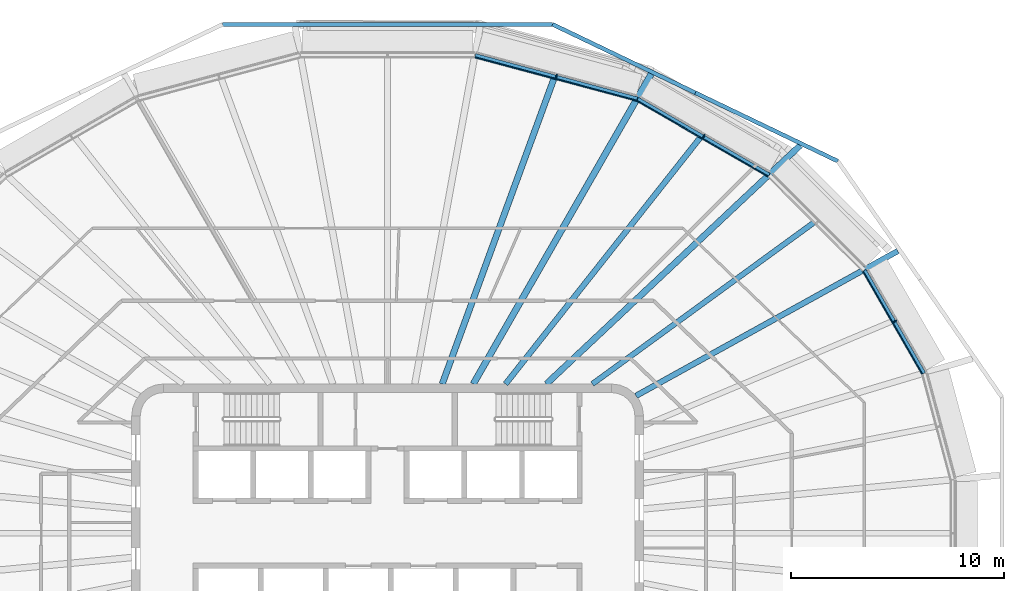
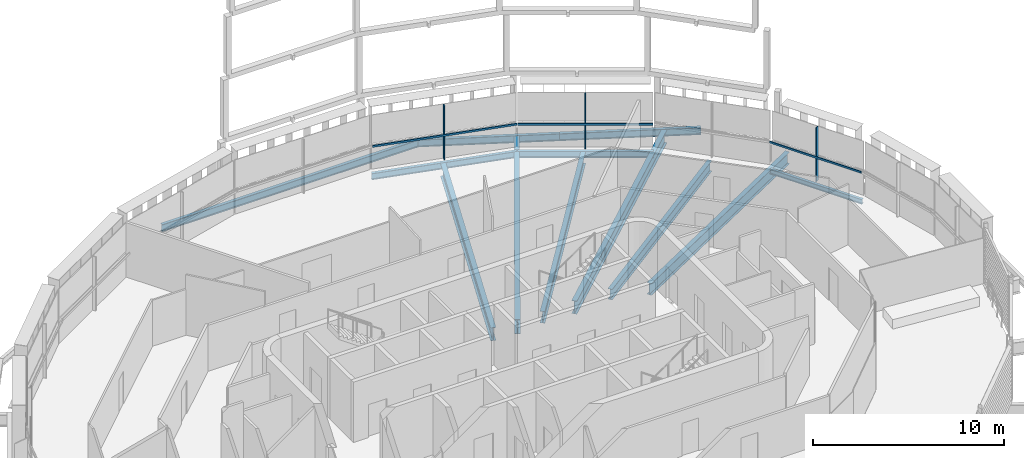
# One storey, part 7 of 21: 12 beams, 6 members, 3 elements without a shape of their own.
"""IFC4 building model written with IfcOpenShell, lengths in metres."""

from ifc_helpers import new_model, si_unit, direction, frame, origin, origin_2d, place, context, subcontext, project, spatial, rectangle, i_section, extrude, material, layer, layer_set, material_profile, profile_set, type_object, element, aggregate, save


model = new_model("IFC4")

# Units and contexts
model_context = context("Model", 3, precision=1e-05, world=origin(), true_north=direction((0.0, 1.0)))
body_context = subcontext(model_context, "Body", "Model", "MODEL_VIEW")
ifc_project = project(units=[si_unit("LENGTHUNIT", "METRE"), si_unit("AREAUNIT", "SQUARE_METRE"), si_unit("VOLUMEUNIT", "CUBIC_METRE"), si_unit("PLANEANGLEUNIT", "RADIAN"), si_unit("MASSUNIT", "GRAM", prefix="KILO")], contexts=[model_context])

# Site, building, storey
site_placement = place(None, origin())
site = spatial("IfcSite", under=ifc_project, at=site_placement, CompositionType="ELEMENT")
building_placement = place(site_placement, origin())
building = spatial("IfcBuilding", under=site, at=building_placement, Name="Sahrelin Media Tower", CompositionType="ELEMENT")
storey_placement = place(building_placement, frame((0.0, 0.0, 304.39990234375)))
storey = spatial("IfcBuildingStorey", under=building, at=storey_placement, Name="L67", CompositionType="ELEMENT", Elevation=304.39990234375)

# Beams
ifc_material_1 = material(Name="Steel S355", Category="steel")
ifc_material_profile_1 = material_profile(ifc_material_1, i_section(OverallWidth=0.1650390625, OverallDepth=0.303466796875, WebThickness=0.006103515625, FlangeThickness=0.01025390625, FilletRadius=0.0087890625, at=origin_2d()), Name="UB 305x165x40")
ifc_profile_set_1 = profile_set([ifc_material_profile_1], Name="Steel S355")
beam_type_1 = type_object("IfcBeamType", Name="Edge beam EB2", PredefinedType="BEAM", material=ifc_profile_set_1)
beam_1_placement = place(storey_placement, frame((22.36572265625, 12.3291015625, -0.301513671875), z_axis=(0.500028539159, -0.866008926066, 0.0), x_axis=(0.866008926066, 0.500028539159, 0.0)))
element("IfcBeam", 1, at=beam_1_placement, inside=storey, type_object=beam_type_1, Name="Edge beam L67-23", PredefinedType="BEAM", context=body_context, shape_type="SweptSolid", body=[
    extrude(i_section(OverallWidth=0.1650390625, OverallDepth=0.303466796875, WebThickness=0.006103515625, FlangeThickness=0.01025390625, FilletRadius=0.0087890625, at=origin_2d()), origin(), (0.0, 0.0, 1.0), 5.569580078125),
])
ifc_material_profile_2 = material_profile(ifc_material_1, i_section(OverallWidth=0.177978515625, OverallDepth=0.406494140625, WebThickness=0.0078125, FlangeThickness=0.0126953125, FilletRadius=0.01025390625, at=origin_2d()), Name="UB 406x178x60")
ifc_profile_set_2 = profile_set([ifc_material_profile_2], Name="Steel S355")
beam_type_2 = type_object("IfcBeamType", Name="Edge beam EB4", PredefinedType="BEAM", material=ifc_profile_set_2)
beam_2_placement = place(storey_placement, frame((4.109375, 22.406982421875, -0.35302734375), z_axis=(0.965926976283, -0.258814753228, 0.0), x_axis=(0.258814753228, 0.965926976283, 0.0)))
element("IfcBeam", 2, at=beam_2_placement, inside=storey, type_object=beam_type_2, Name="Edge beam L67-20", PredefinedType="BEAM", context=body_context, shape_type="SweptSolid", body=[
    extrude(i_section(OverallWidth=0.177978515625, OverallDepth=0.406494140625, WebThickness=0.0078125, FlangeThickness=0.0126953125, FilletRadius=0.01025390625, at=origin_2d()), origin(), (0.0, 0.0, 1.0), 7.859619140625),
])
beam_3_placement = place(storey_placement, frame((11.727783203125, 20.36181640625, -0.35302734375), z_axis=(0.866011952646, -0.500023297332, 0.0), x_axis=(0.500023297332, 0.866011952646, 0.0)))
element("IfcBeam", 3, at=beam_3_placement, inside=storey, type_object=beam_type_2, Name="Edge beam L67-21", PredefinedType="BEAM", context=body_context, shape_type="SweptSolid", body=[
    extrude(i_section(OverallWidth=0.177978515625, OverallDepth=0.406494140625, WebThickness=0.0078125, FlangeThickness=0.0126953125, FilletRadius=0.01025390625, at=origin_2d()), origin(), (0.0, 0.0, 1.0), 7.118408203125),
])

# Curtain wall, member
ifc_material_2 = material(Name="Champagne anodised aluminium 6063-T6", Category="aluminium")
ifc_layer = layer(ifc_material_2, 0.14990234375)
ifc_layer_set = layer_set([ifc_layer], Name="Tower ribbon curtain wall")
curtain_wall_type = type_object("IfcCurtainWallType", Name="Tower ribbon curtain wall", PredefinedType="NOTDEFINED", material=ifc_layer_set)
curtain_wall_1_placement = place(storey_placement, frame((23.88818359375, 9.992431640625, 0.0), z_axis=(0.0, 0.0, 1.0), x_axis=(1.0, 0.0, 0.0)))
curtain_wall_1 = element("IfcCurtainWall", 4, at=curtain_wall_1_placement, inside=storey, type_object=curtain_wall_type, Name="L67:CW:L67-02", PredefinedType="NOTDEFINED")
ifc_material_profile_3 = material_profile(ifc_material_2, rectangle(XDim=0.06005859375, YDim=0.199951171875, at=origin_2d()), Name="Mullion 60x200")
ifc_profile_set_3 = profile_set([ifc_material_profile_3], Name="Champagne anodised aluminium 6063-T6")
member_type_1 = type_object("IfcMemberType", Name="Mullion 60x200 CW1C", PredefinedType="MULLION", material=ifc_profile_set_3)
member_1_placement = place(storey_placement, frame((23.7841796875, 9.9326171875, 0.0), z_axis=(0.0, 0.0, 1.0), x_axis=(-0.500001511499, 0.866024531118, 0.0)))
member_1 = element("IfcMember", 5, at=member_1_placement, type_object=member_type_1, Name="L67:CWM:L67-02", PredefinedType="MULLION", context=body_context, shape_type="SweptSolid", body=[
    extrude(rectangle(XDim=0.06005859375, YDim=0.199951171875, at=origin_2d()), origin(), (0.0, 0.0, 1.0), 3.44873046875),
])

curtain_wall_2_placement = place(storey_placement, frame((14.885009765625, 18.712158203125, 0.0), z_axis=(0.0, 0.0, 1.0), x_axis=(1.0, 0.0, 0.0)))
curtain_wall_2 = element("IfcCurtainWall", 6, at=curtain_wall_2_placement, inside=storey, type_object=curtain_wall_type, Name="L67:CW:L67-04", PredefinedType="NOTDEFINED")
member_2_placement = place(storey_placement, frame((14.8251953125, 18.608154296875, 0.0), z_axis=(0.0, 0.0, 1.0), x_axis=(-0.866029767075, 0.499992442484, 0.0)))
member_2 = element("IfcMember", 7, at=member_2_placement, type_object=member_type_1, Name="L67:CWM:L67-04", PredefinedType="MULLION", context=body_context, shape_type="SweptSolid", body=[
    extrude(rectangle(XDim=0.06005859375, YDim=0.199951171875, at=origin_2d()), origin(), (0.0, 0.0, 1.0), 3.44873046875),
])

curtain_wall_3_placement = place(storey_placement, frame((7.944091796875, 21.53466796875, 0.0), z_axis=(0.0, 0.0, 1.0), x_axis=(1.0, 0.0, 0.0)))
curtain_wall_3 = element("IfcCurtainWall", 8, at=curtain_wall_3_placement, inside=storey, type_object=curtain_wall_type, Name="L67:CW:L67-05", PredefinedType="NOTDEFINED")
member_3_placement = place(storey_placement, frame((7.9130859375, 21.418701171875, 0.0), z_axis=(0.0, 0.0, 1.0), x_axis=(-0.965925374563, 0.258820730961, 0.0)))
member_3 = element("IfcMember", 9, at=member_3_placement, type_object=member_type_1, Name="L67:CWM:L67-05", PredefinedType="MULLION", context=body_context, shape_type="SweptSolid", body=[
    extrude(rectangle(XDim=0.06005859375, YDim=0.199951171875, at=origin_2d()), origin(), (0.0, 0.0, 1.0), 3.44873046875),
])

# Beams
ifc_material_profile_4 = material_profile(ifc_material_1, i_section(OverallWidth=0.291748046875, OverallDepth=0.8349609375, WebThickness=0.013916015625, FlangeThickness=0.018798828125, FilletRadius=0.017822265625, at=origin_2d()), Name="UB 838x292x176")
ifc_profile_set_4 = profile_set([ifc_material_profile_4], Name="Steel S355")
beam_type_3 = type_object("IfcBeamType", Name="Radial primary beam PB10", PredefinedType="BEAM", material=ifc_profile_set_4)
beam_4_placement = place(storey_placement, frame((7.447509765625, 7.0, -0.5673828125), z_axis=(0.728671974562, 0.684862872032, 0.0), x_axis=(-0.684862872032, 0.728671974562, 0.0)))
element("IfcBeam", 10, at=beam_4_placement, inside=storey, type_object=beam_type_3, Name="Radial beam L67-04", PredefinedType="BEAM", context=body_context, shape_type="SweptSolid", body=[
    extrude(i_section(OverallWidth=0.291748046875, OverallDepth=0.8349609375, WebThickness=0.013916015625, FlangeThickness=0.018798828125, FilletRadius=0.017822265625, at=origin_2d()), origin(), (0.0, 0.0, 1.0), 16.333984375),
])
ifc_material_profile_5 = material_profile(ifc_material_1, i_section(OverallWidth=0.30322265625, OverallDepth=0.903076171875, WebThickness=0.01513671875, FlangeThickness=0.020263671875, FilletRadius=0.01904296875, at=origin_2d()), Name="UB 914x305x201")
ifc_profile_set_5 = profile_set([ifc_material_profile_5], Name="Steel S355")
beam_type_4 = type_object("IfcBeamType", Name="Radial primary beam PB11", PredefinedType="BEAM", material=ifc_profile_set_5)
beam_5_placement = place(storey_placement, frame((4.018310546875, 7.0, -0.601318359375), z_axis=(0.497863258598, 0.867255542351, 0.0), x_axis=(-0.867255542351, 0.497863258598, 0.0)))
element("IfcBeam", 11, at=beam_5_placement, inside=storey, type_object=beam_type_4, Name="Radial beam L67-05", PredefinedType="BEAM", context=body_context, shape_type="SweptSolid", body=[
    extrude(i_section(OverallWidth=0.30322265625, OverallDepth=0.903076171875, WebThickness=0.01513671875, FlangeThickness=0.020263671875, FilletRadius=0.01904296875, at=origin_2d()), origin(), (0.0, 0.0, 1.0), 16.762939453125),
])
ifc_material_profile_6 = material_profile(ifc_material_1, i_section(OverallWidth=0.26513671875, OverallDepth=0.75390625, WebThickness=0.0126953125, FlangeThickness=0.017578125, FilletRadius=0.0166015625, at=origin_2d()), Name="UB 762x267x147")
ifc_profile_set_6 = profile_set([ifc_material_profile_6], Name="Steel S355")
beam_type_5 = type_object("IfcBeamType", Name="Radial primary beam PB9", PredefinedType="BEAM", material=ifc_profile_set_6)
beam_6_placement = place(storey_placement, frame((11.650146484375, 6.444091796875, -0.52685546875), z_axis=(0.875046431692, 0.484038988495, 0.0), x_axis=(-0.484038988495, 0.875046431692, 0.0)))
element("IfcBeam", 12, at=beam_6_placement, inside=storey, type_object=beam_type_5, Name="Radial beam L67-03", PredefinedType="BEAM", context=body_context, shape_type="SweptSolid", body=[
    extrude(i_section(OverallWidth=0.26513671875, OverallDepth=0.75390625, WebThickness=0.0126953125, FlangeThickness=0.017578125, FilletRadius=0.0166015625, at=origin_2d()), origin(), (0.0, 0.0, 1.0), 14.029296875),
])
ifc_material_profile_7 = material_profile(ifc_material_1, i_section(OverallWidth=0.291748046875, OverallDepth=0.8349609375, WebThickness=0.013916015625, FlangeThickness=0.018798828125, FilletRadius=0.017822265625, at=origin_2d()), Name="UB 838x292x176")
ifc_profile_set_7 = profile_set([ifc_material_profile_7], Name="Steel S355")
beam_type_6 = type_object("IfcBeamType", Name="Radial secondary beam SB10", PredefinedType="BEAM", material=ifc_profile_set_7)
beam_7_placement = place(storey_placement, frame((2.561279296875, 7.0, -0.5673828125), z_axis=(0.343626287634, 0.939106476629, 0.0), x_axis=(-0.939106476629, 0.343626287634, 0.0)))
element("IfcBeam", 13, at=beam_7_placement, inside=storey, type_object=beam_type_6, Name="Secondary beam L67-05", PredefinedType="BEAM", context=body_context, shape_type="SweptSolid", body=[
    extrude(i_section(OverallWidth=0.291748046875, OverallDepth=0.8349609375, WebThickness=0.013916015625, FlangeThickness=0.018798828125, FilletRadius=0.017822265625, at=origin_2d()), origin(), (0.0, 0.0, 1.0), 15.254150390625),
])
ifc_material_profile_8 = material_profile(ifc_material_1, i_section(OverallWidth=0.2529296875, OverallDepth=0.677978515625, WebThickness=0.01171875, FlangeThickness=0.01611328125, FilletRadius=0.01513671875, at=origin_2d()), Name="UB 686x254x125")
ifc_profile_set_8 = profile_set([ifc_material_profile_8], Name="Steel S355")
beam_type_7 = type_object("IfcBeamType", Name="Radial secondary beam SB8", PredefinedType="BEAM", material=ifc_profile_set_8)
beam_8_placement = place(storey_placement, frame((9.60400390625, 7.0, -0.489013671875), z_axis=(0.808118555144, 0.589019864548, 0.0), x_axis=(-0.589019864548, 0.808118555144, 0.0)))
element("IfcBeam", 14, at=beam_8_placement, inside=storey, type_object=beam_type_7, Name="Secondary beam L67-03", PredefinedType="BEAM", context=body_context, shape_type="SweptSolid", body=[
    extrude(i_section(OverallWidth=0.2529296875, OverallDepth=0.677978515625, WebThickness=0.01171875, FlangeThickness=0.01611328125, FilletRadius=0.01513671875, at=origin_2d()), origin(), (0.0, 0.0, 1.0), 12.86572265625),
])
ifc_material_profile_9 = material_profile(ifc_material_1, i_section(OverallWidth=0.26513671875, OverallDepth=0.75390625, WebThickness=0.0126953125, FlangeThickness=0.017578125, FilletRadius=0.0166015625, at=origin_2d()), Name="UB 762x267x147")
ifc_profile_set_9 = profile_set([ifc_material_profile_9], Name="Steel S355")
beam_type_8 = type_object("IfcBeamType", Name="Radial secondary beam SB9", PredefinedType="BEAM", material=ifc_profile_set_9)
beam_9_placement = place(storey_placement, frame((5.531494140625, 7.0, -0.52685546875), z_axis=(0.620008435569, 0.784595143895, 0.0), x_axis=(-0.784595143895, 0.620008435569, 0.0)))
element("IfcBeam", 15, at=beam_9_placement, inside=storey, type_object=beam_type_8, Name="Secondary beam L67-04", PredefinedType="BEAM", context=body_context, shape_type="SweptSolid", body=[
    extrude(i_section(OverallWidth=0.26513671875, OverallDepth=0.75390625, WebThickness=0.0126953125, FlangeThickness=0.017578125, FilletRadius=0.0166015625, at=origin_2d()), origin(), (0.0, 0.0, 1.0), 14.735595703125),
])
ifc_material_profile_10 = material_profile(ifc_material_1, i_section(OverallWidth=0.1904296875, OverallDepth=0.45703125, WebThickness=0.009033203125, FlangeThickness=0.014404296875, FilletRadius=0.01025390625, at=origin_2d()), Name="UB 457x191x74")
ifc_profile_set_10 = profile_set([ifc_material_profile_10], Name="Steel S355")
beam_type_9 = type_object("IfcBeamType", Name="Tie chord TC5", PredefinedType="BEAM", material=ifc_profile_set_10)
beam_10_placement = place(storey_placement, frame((-7.73681640625, 23.86279296875, -0.37841796875), z_axis=(1.0, 0.0, 0.0), x_axis=(0.0, 1.0, 0.0)))
element("IfcBeam", 16, at=beam_10_placement, inside=storey, type_object=beam_type_9, Name="Tie chord L67-16", PredefinedType="BEAM", context=body_context, shape_type="SweptSolid", body=[
    extrude(i_section(OverallWidth=0.1904296875, OverallDepth=0.45703125, WebThickness=0.009033203125, FlangeThickness=0.014404296875, FilletRadius=0.01025390625, at=origin_2d()), origin(), (0.0, 0.0, 1.0), 15.4736328125),
])
beam_11_placement = place(storey_placement, frame((7.73681640625, 23.86279296875, -0.37841796875), z_axis=(0.90164251984, -0.432482099533, 0.0), x_axis=(0.432482099533, 0.90164251984, 0.0)))
element("IfcBeam", 17, at=beam_11_placement, inside=storey, type_object=beam_type_9, Name="Tie chord L67-17", PredefinedType="BEAM", context=body_context, shape_type="SweptSolid", body=[
    extrude(i_section(OverallWidth=0.1904296875, OverallDepth=0.45703125, WebThickness=0.009033203125, FlangeThickness=0.014404296875, FilletRadius=0.01025390625, at=origin_2d()), origin(), (0.0, 0.0, 1.0), 7.428466796875),
])
beam_12_placement = place(storey_placement, frame((14.4345703125, 20.650146484375, -0.37841796875), z_axis=(0.901607856923, -0.432554357664, 0.0), x_axis=(0.432554357664, 0.901607856923, 0.0)))
element("IfcBeam", 18, at=beam_12_placement, inside=storey, type_object=beam_type_9, Name="Tie chord L67-18", PredefinedType="BEAM", context=body_context, shape_type="SweptSolid", body=[
    extrude(i_section(OverallWidth=0.1904296875, OverallDepth=0.45703125, WebThickness=0.009033203125, FlangeThickness=0.014404296875, FilletRadius=0.01025390625, at=origin_2d()), origin(), (0.0, 0.0, 1.0), 7.411376953125),
])

# Member
ifc_material_profile_11 = material_profile(ifc_material_2, rectangle(XDim=0.050048828125, YDim=0.1201171875, at=origin_2d()), Name="Transom 50x120")
ifc_profile_set_11 = profile_set([ifc_material_profile_11], Name="Champagne anodised aluminium 6063-T6")
member_type_2 = type_object("IfcMemberType", Name="Transom 50x120 CW1C", PredefinedType="USERDEFINED", material=ifc_profile_set_11)
member_4_placement = place(storey_placement, frame((25.060302734375, 7.471923828125, 1.60009765625), z_axis=(-0.499998477844, 0.8660262826, 0.0), x_axis=(-0.8660262826, -0.499998477844, 0.0)))
member_4 = element("IfcMember", 19, at=member_4_placement, type_object=member_type_2, Name="L67:CWT:L67-02", ObjectType="TRANSOM", PredefinedType="USERDEFINED", context=body_context, shape_type="SweptSolid", body=[
    extrude(rectangle(XDim=0.050048828125, YDim=0.1201171875, at=origin_2d()), origin(), (0.0, 0.0, 1.0), 5.5380859375),
])

aggregate(curtain_wall_1, [member_1, member_4])

member_5_placement = place(storey_placement, frame((17.831298828125, 16.728271484375, 1.60009765625), z_axis=(-0.866040446274, 0.499973944738, 0.0), x_axis=(-0.499973944738, -0.866040446274, 0.0)))
member_5 = element("IfcMember", 20, at=member_5_placement, type_object=member_type_2, Name="L67:CWT:L67-04", ObjectType="TRANSOM", PredefinedType="USERDEFINED", context=body_context, shape_type="SweptSolid", body=[
    extrude(rectangle(XDim=0.050048828125, YDim=0.1201171875, at=origin_2d()), origin(), (0.0, 0.0, 1.0), 7.0869140625),
])

aggregate(curtain_wall_2, [member_2, member_5])

member_6_placement = place(storey_placement, frame((11.661376953125, 20.284912109375, 1.60009765625), z_axis=(-0.965925221164, 0.25882130345, 0.0), x_axis=(-0.25882130345, -0.965925221164, 0.0)))
member_6 = element("IfcMember", 21, at=member_6_placement, type_object=member_type_2, Name="L67:CWT:L67-05", ObjectType="TRANSOM", PredefinedType="USERDEFINED", context=body_context, shape_type="SweptSolid", body=[
    extrude(rectangle(XDim=0.050048828125, YDim=0.1201171875, at=origin_2d()), origin(), (0.0, 0.0, 1.0), 7.828369140625),
])

aggregate(curtain_wall_3, [member_3, member_6])

save(model, "model.ifc")
